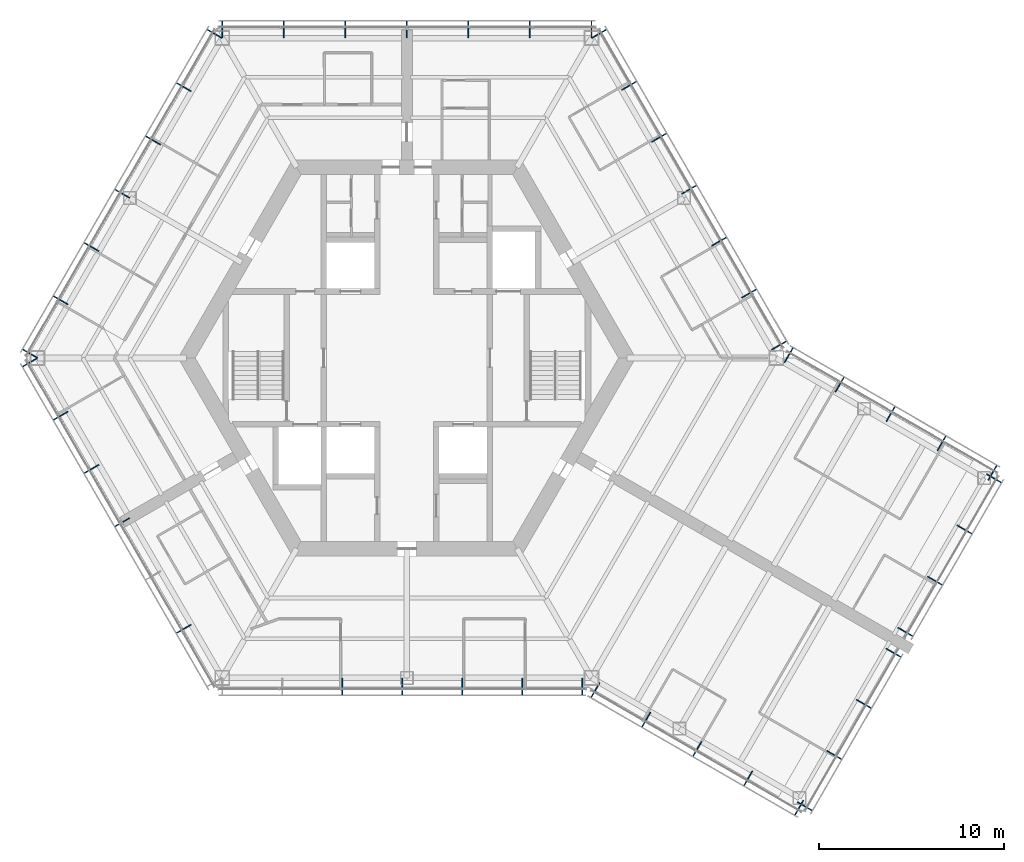
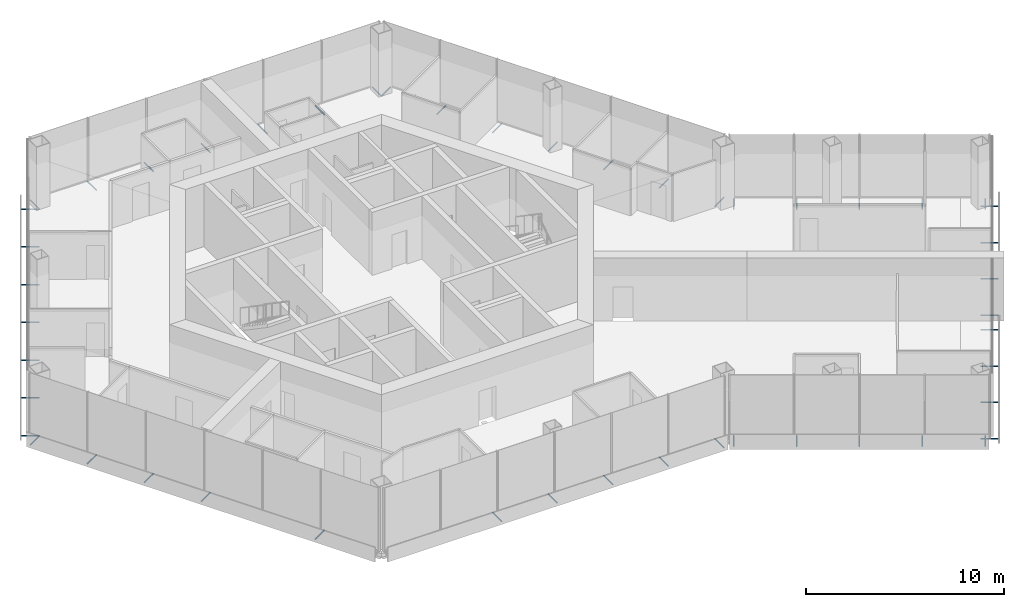
# One storey, part 14 of 16: 49 discrete accessories.
"""IFC4 building model written with IfcOpenShell, lengths in metres."""

from ifc_helpers import new_model, si_unit, direction, frame, origin, origin_2d, place, context, subcontext, project, spatial, hollow_circle, extrude, material, material_profile, profile_set, type_object, element, save


model = new_model("IFC4")

# Units and contexts
model_context = context("Model", 3, precision=1e-05, world=origin(), true_north=direction((0.0, 1.0)))
body_context = subcontext(model_context, "Body", "Model", "MODEL_VIEW")
ifc_project = project(units=[si_unit("LENGTHUNIT", "METRE"), si_unit("AREAUNIT", "SQUARE_METRE"), si_unit("VOLUMEUNIT", "CUBIC_METRE"), si_unit("PLANEANGLEUNIT", "RADIAN"), si_unit("MASSUNIT", "GRAM", prefix="KILO")], contexts=[model_context])

# Site, building, storey
site_placement = place(None, origin())
site = spatial("IfcSite", under=ifc_project, at=site_placement, CompositionType="ELEMENT")
building_placement = place(site_placement, origin())
building = spatial("IfcBuilding", under=site, at=building_placement, Name="Kasaneha Research Tower", CompositionType="ELEMENT")
storey_placement = place(building_placement, frame((0.0, 0.0, 255.699951171875)))
storey = spatial("IfcBuildingStorey", under=building, at=storey_placement, Name="L64", CompositionType="ELEMENT", Elevation=255.699951171875)

# Discrete accessories
ifc_material = material(Name="Steel STK400", Category="steel")
ifc_material_profile = material_profile(ifc_material, hollow_circle(Radius=0.0380859375, WallThickness=0.00390625, at=origin_2d()), Name="CHS-76.3x4.0")
ifc_profile_set = profile_set([ifc_material_profile], Name="Steel STK400")
discrete_accessory_type = type_object("IfcDiscreteAccessoryType", Name="Screen bracket CHS-76.3x4.0", PredefinedType="BRACKET", material=ifc_profile_set)
for number, where, z_axis, x_axis, name in (
    (1, (19.74462890625, 0.4423828125, -0.300048828125), (0.866013213425, 0.500021113727, 0.0), (-0.500021113727, 0.866013213425, 0.0), "Screen bracket 1"),
    (2, (18.120849609375, 3.2548828125, -0.300048828125), (0.866013213425, 0.500021113727, 0.0), (-0.500021113727, 0.866013213425, 0.0), "Screen bracket 2"),
    (3, (16.4970703125, 6.0673828125, -0.300048828125), (0.866013213425, 0.500021113727, 0.0), (-0.500021113727, 0.866013213425, 0.0), "Screen bracket 3"),
    (4, (14.873291015625, 8.8798828125, -0.300048828125), (0.866013213425, 0.500021113727, 0.0), (-0.500021113727, 0.866013213425, 0.0), "Screen bracket 4"),
    (5, (13.24951171875, 11.6923828125, -0.300048828125), (0.866013213425, 0.500021113727, 0.0), (-0.500021113727, 0.866013213425, 0.0), "Screen bracket 5"),
):
    element("IfcDiscreteAccessory", number, at=place(storey_placement, frame(where, z_axis=z_axis, x_axis=x_axis)), inside=storey, type_object=discrete_accessory_type, Name=name, PredefinedType="BRACKET", context=body_context, shape_type="SweptSolid", body=[
        extrude(hollow_circle(Radius=0.0380859375, WallThickness=0.00390625, at=origin_2d()), origin(), (0.0, 0.0, 1.0), 0.919921875),
    ])
for number, where, z_axis, x_axis, name in (
    (6, (11.62548828125, 14.5048828125, -0.300048828125), (0.866079547155, 0.499906209203, 0.0), (-0.499906209203, 0.866079547155, 0.0), "Screen bracket 6"),
    (7, (10.001708984375, 17.3173828125, -0.300048828125), (0.866079547155, 0.499906209203, 0.0), (-0.499906209203, 0.866079547155, 0.0), "Screen bracket 7"),
):
    element("IfcDiscreteAccessory", number, at=place(storey_placement, frame(where, z_axis=z_axis, x_axis=x_axis)), inside=storey, type_object=discrete_accessory_type, Name=name, PredefinedType="BRACKET", context=body_context, shape_type="SweptSolid", body=[
        extrude(hollow_circle(Radius=0.0380859375, WallThickness=0.00390625, at=origin_2d()), origin(), (0.0, 0.0, 1.0), 0.920166015625),
    ])
for number, where, z_axis, x_axis, name in (
    (8, (9.996337890625, 17.320556640625, -0.300048828125), (0.0, 1.0, 0.0), (-1.0, 0.0, 0.0), "Screen bracket 1"),
    (9, (6.664306640625, 17.320556640625, -0.300048828125), (0.0, 1.0, 0.0), (-1.0, 0.0, 0.0), "Screen bracket 2"),
    (10, (3.33203125, 17.320556640625, -0.300048828125), (0.0, 1.0, 0.0), (-1.0, 0.0, 0.0), "Screen bracket 3"),
    (11, (0.0, 17.320556640625, -0.300048828125), (0.0, 1.0, 0.0), (-1.0, 0.0, 0.0), "Screen bracket 4"),
    (12, (-3.33203125, 17.320556640625, -0.300048828125), (0.0, 1.0, 0.0), (-1.0, 0.0, 0.0), "Screen bracket 5"),
    (13, (-6.664306640625, 17.320556640625, -0.300048828125), (0.0, 1.0, 0.0), (-1.0, 0.0, 0.0), "Screen bracket 6"),
    (14, (-9.996337890625, 17.320556640625, -0.300048828125), (0.0, 1.0, 0.0), (-1.0, 0.0, 0.0), "Screen bracket 7"),
):
    element("IfcDiscreteAccessory", number, at=place(storey_placement, frame(where, z_axis=z_axis, x_axis=x_axis)), inside=storey, type_object=discrete_accessory_type, Name=name, PredefinedType="BRACKET", context=body_context, shape_type="SweptSolid", body=[
        extrude(hollow_circle(Radius=0.0380859375, WallThickness=0.00390625, at=origin_2d()), origin(), (0.0, 0.0, 1.0), 0.919921875),
    ])
discrete_accessory_1_placement = place(storey_placement, frame((-10.001708984375, 17.3173828125, -0.300048828125), z_axis=(-0.866079547155, 0.499906209203, 0.0), x_axis=(-0.499906209203, -0.866079547155, 0.0)))
element("IfcDiscreteAccessory", 15, at=discrete_accessory_1_placement, inside=storey, type_object=discrete_accessory_type, Name="Screen bracket 1", PredefinedType="BRACKET", context=body_context, shape_type="SweptSolid", body=[
    extrude(hollow_circle(Radius=0.0380859375, WallThickness=0.00390625, at=origin_2d()), origin(), (0.0, 0.0, 1.0), 0.920166015625),
])
for number, where, z_axis, x_axis, name in (
    (16, (-11.66796875, 14.431640625, -0.300048828125), (-0.866013213425, 0.500021113727, 0.0), (-0.500021113727, -0.866013213425, 0.0), "Screen bracket 2"),
    (17, (-13.333984375, 11.5458984375, -0.300048828125), (-0.866013213425, 0.500021113727, 0.0), (-0.500021113727, -0.866013213425, 0.0), "Screen bracket 3"),
    (18, (-15.0, 8.66015625, -0.300048828125), (-0.865898279276, 0.500220121494, 0.0), (-0.500220121494, -0.865898279276, 0.0), "Screen bracket 4"),
):
    element("IfcDiscreteAccessory", number, at=place(storey_placement, frame(where, z_axis=z_axis, x_axis=x_axis)), inside=storey, type_object=discrete_accessory_type, Name=name, PredefinedType="BRACKET", context=body_context, shape_type="SweptSolid", body=[
        extrude(hollow_circle(Radius=0.0380859375, WallThickness=0.00390625, at=origin_2d()), origin(), (0.0, 0.0, 1.0), 0.919921875),
    ])
for number, where, z_axis, x_axis, name in (
    (19, (-16.666015625, 5.774658203125, -0.300048828125), (-0.866079547155, 0.499906209203, 0.0), (-0.499906209203, -0.866079547155, 0.0), "Screen bracket 5"),
    (20, (-18.33203125, 2.888916015625, -0.300048828125), (-0.866079547155, 0.499906209203, 0.0), (-0.499906209203, -0.866079547155, 0.0), "Screen bracket 6"),
):
    element("IfcDiscreteAccessory", number, at=place(storey_placement, frame(where, z_axis=z_axis, x_axis=x_axis)), inside=storey, type_object=discrete_accessory_type, Name=name, PredefinedType="BRACKET", context=body_context, shape_type="SweptSolid", body=[
        extrude(hollow_circle(Radius=0.0380859375, WallThickness=0.00390625, at=origin_2d()), origin(), (0.0, 0.0, 1.0), 0.920166015625),
    ])
for number, where, z_axis, x_axis, name in (
    (21, (-19.998291015625, 0.003173828125, -0.300048828125), (-0.866013213425, 0.500021113727, 0.0), (-0.500021113727, -0.866013213425, 0.0), "Screen bracket 7"),
    (22, (-19.998291015625, -0.003173828125, -0.300048828125), (-0.866013213425, -0.500021113727, 0.0), (0.500021113727, -0.866013213425, 0.0), "Screen bracket 1"),
):
    element("IfcDiscreteAccessory", number, at=place(storey_placement, frame(where, z_axis=z_axis, x_axis=x_axis)), inside=storey, type_object=discrete_accessory_type, Name=name, PredefinedType="BRACKET", context=body_context, shape_type="SweptSolid", body=[
        extrude(hollow_circle(Radius=0.0380859375, WallThickness=0.00390625, at=origin_2d()), origin(), (0.0, 0.0, 1.0), 0.919921875),
    ])
for number, where, z_axis, x_axis, name in (
    (23, (-18.33203125, -2.888916015625, -0.300048828125), (-0.866079547155, -0.499906209203, 0.0), (0.499906209203, -0.866079547155, 0.0), "Screen bracket 2"),
    (24, (-16.666015625, -5.774658203125, -0.300048828125), (-0.866079547155, -0.499906209203, 0.0), (0.499906209203, -0.866079547155, 0.0), "Screen bracket 3"),
):
    element("IfcDiscreteAccessory", number, at=place(storey_placement, frame(where, z_axis=z_axis, x_axis=x_axis)), inside=storey, type_object=discrete_accessory_type, Name=name, PredefinedType="BRACKET", context=body_context, shape_type="SweptSolid", body=[
        extrude(hollow_circle(Radius=0.0380859375, WallThickness=0.00390625, at=origin_2d()), origin(), (0.0, 0.0, 1.0), 0.920166015625),
    ])
for number, where, z_axis, x_axis, name in (
    (25, (-15.0, -8.66015625, -0.300048828125), (-0.865898279276, -0.500220121494, 0.0), (0.500220121494, -0.865898279276, 0.0), "Screen bracket 4"),
    (26, (-11.66796875, -14.431640625, -0.300048828125), (-0.866013213425, -0.500021113727, 0.0), (0.500021113727, -0.866013213425, 0.0), "Screen bracket 6"),
    (27, (-3.501220703125, -17.320556640625, -0.300048828125), (0.0, -1.0, 0.0), (1.0, 0.0, 0.0), "Screen bracket 3"),
    (28, (-0.253662109375, -17.320556640625, -0.300048828125), (0.0, -1.0, 0.0), (1.0, 0.0, 0.0), "Screen bracket 4"),
    (29, (2.993896484375, -17.320556640625, -0.300048828125), (0.0, -1.0, 0.0), (1.0, 0.0, 0.0), "Screen bracket 5"),
    (30, (6.24169921875, -17.320556640625, -0.300048828125), (0.0, -1.0, 0.0), (1.0, 0.0, 0.0), "Screen bracket 6"),
    (31, (9.4892578125, -17.320556640625, -0.300048828125), (0.0, -1.0, 0.0), (1.0, 0.0, 0.0), "Screen bracket 7"),
    (32, (10.4423828125, -17.575927734375, -0.300048828125), (-0.500021113727, -0.866013213425, 0.0), (0.866013213425, -0.500021113727, 0.0), "Screen bracket 1"),
):
    element("IfcDiscreteAccessory", number, at=place(storey_placement, frame(where, z_axis=z_axis, x_axis=x_axis)), inside=storey, type_object=discrete_accessory_type, Name=name, PredefinedType="BRACKET", context=body_context, shape_type="SweptSolid", body=[
        extrude(hollow_circle(Radius=0.0380859375, WallThickness=0.00390625, at=origin_2d()), origin(), (0.0, 0.0, 1.0), 0.919921875),
    ])
discrete_accessory_2_placement = place(storey_placement, frame((13.200439453125, -19.168212890625, -0.300048828125), z_axis=(-0.499906209203, -0.866079547155, 0.0), x_axis=(0.866079547155, -0.499906209203, 0.0)))
element("IfcDiscreteAccessory", 33, at=discrete_accessory_2_placement, inside=storey, type_object=discrete_accessory_type, Name="Screen bracket 2", PredefinedType="BRACKET", context=body_context, shape_type="SweptSolid", body=[
    extrude(hollow_circle(Radius=0.0380859375, WallThickness=0.00390625, at=origin_2d()), origin(), (0.0, 0.0, 1.0), 0.920166015625),
])
discrete_accessory_3_placement = place(storey_placement, frame((15.95849609375, -20.7607421875, -0.300048828125), z_axis=(-0.500021113727, -0.866013213425, 0.0), x_axis=(0.866013213425, -0.500021113727, 0.0)))
element("IfcDiscreteAccessory", 34, at=discrete_accessory_3_placement, inside=storey, type_object=discrete_accessory_type, Name="Screen bracket 3", PredefinedType="BRACKET", context=body_context, shape_type="SweptSolid", body=[
    extrude(hollow_circle(Radius=0.0380859375, WallThickness=0.00390625, at=origin_2d()), origin(), (0.0, 0.0, 1.0), 0.919921875),
])
discrete_accessory_4_placement = place(storey_placement, frame((18.716796875, -22.35302734375, -0.300048828125), z_axis=(-0.500105201737, -0.865964657013, 0.0), x_axis=(0.865964657013, -0.500105201737, 0.0)))
element("IfcDiscreteAccessory", 35, at=discrete_accessory_4_placement, inside=storey, type_object=discrete_accessory_type, Name="Screen bracket 4", PredefinedType="BRACKET", context=body_context, shape_type="SweptSolid", body=[
    extrude(hollow_circle(Radius=0.0380859375, WallThickness=0.00390625, at=origin_2d()), origin(), (0.0, 0.0, 1.0), 0.920166015625),
])
discrete_accessory_5_placement = place(storey_placement, frame((21.474853515625, -23.945556640625, -0.300048828125), z_axis=(-0.500021113727, -0.866013213425, 0.0), x_axis=(0.866013213425, -0.500021113727, 0.0)))
element("IfcDiscreteAccessory", 36, at=discrete_accessory_5_placement, inside=storey, type_object=discrete_accessory_type, Name="Screen bracket 5", PredefinedType="BRACKET", context=body_context, shape_type="SweptSolid", body=[
    extrude(hollow_circle(Radius=0.0380859375, WallThickness=0.00390625, at=origin_2d()), origin(), (0.0, 0.0, 1.0), 0.919921875),
])
discrete_accessory_6_placement = place(storey_placement, frame((21.13330078125, -24.037109375, -0.300048828125), z_axis=(0.866079547155, -0.499906209203, 0.0), x_axis=(0.499906209203, 0.866079547155, 0.0)))
element("IfcDiscreteAccessory", 37, at=discrete_accessory_6_placement, inside=storey, type_object=discrete_accessory_type, Name="Screen bracket 1", PredefinedType="BRACKET", context=body_context, shape_type="SweptSolid", body=[
    extrude(hollow_circle(Radius=0.0380859375, WallThickness=0.00390625, at=origin_2d()), origin(), (0.0, 0.0, 1.0), 0.920166015625),
])
discrete_accessory_7_placement = place(storey_placement, frame((22.7333984375, -21.265625, -0.300048828125), z_axis=(0.865898279276, -0.500220121494, 0.0), x_axis=(0.500220121494, 0.865898279276, 0.0)))
element("IfcDiscreteAccessory", 38, at=discrete_accessory_7_placement, inside=storey, type_object=discrete_accessory_type, Name="Screen bracket 2", PredefinedType="BRACKET", context=body_context, shape_type="SweptSolid", body=[
    extrude(hollow_circle(Radius=0.0380859375, WallThickness=0.00390625, at=origin_2d()), origin(), (0.0, 0.0, 1.0), 0.919921875),
])
discrete_accessory_8_placement = place(storey_placement, frame((24.333251953125, -18.494384765625, -0.300048828125), z_axis=(0.866079547155, -0.499906209203, 0.0), x_axis=(0.499906209203, 0.866079547155, 0.0)))
element("IfcDiscreteAccessory", 39, at=discrete_accessory_8_placement, inside=storey, type_object=discrete_accessory_type, Name="Screen bracket 3", PredefinedType="BRACKET", context=body_context, shape_type="SweptSolid", body=[
    extrude(hollow_circle(Radius=0.0380859375, WallThickness=0.00390625, at=origin_2d()), origin(), (0.0, 0.0, 1.0), 0.920166015625),
])
discrete_accessory_9_placement = place(storey_placement, frame((25.933349609375, -15.72314453125, -0.300048828125), z_axis=(0.866013213425, -0.500021113727, 0.0), x_axis=(0.500021113727, 0.866013213425, 0.0)))
element("IfcDiscreteAccessory", 40, at=discrete_accessory_9_placement, inside=storey, type_object=discrete_accessory_type, Name="Screen bracket 4", PredefinedType="BRACKET", context=body_context, shape_type="SweptSolid", body=[
    extrude(hollow_circle(Radius=0.0380859375, WallThickness=0.00390625, at=origin_2d()), origin(), (0.0, 0.0, 1.0), 0.919921875),
])
discrete_accessory_10_placement = place(storey_placement, frame((26.583251953125, -14.597412109375, -0.300048828125), z_axis=(0.866079547155, -0.499906209203, 0.0), x_axis=(0.499906209203, 0.866079547155, 0.0)))
element("IfcDiscreteAccessory", 41, at=discrete_accessory_10_placement, inside=storey, type_object=discrete_accessory_type, Name="Screen bracket 1", PredefinedType="BRACKET", context=body_context, shape_type="SweptSolid", body=[
    extrude(hollow_circle(Radius=0.0380859375, WallThickness=0.00390625, at=origin_2d()), origin(), (0.0, 0.0, 1.0), 0.920166015625),
])
for number, where, z_axis, x_axis, name in (
    (42, (28.183349609375, -11.826171875, -0.300048828125), (0.866013213425, -0.500021113727, 0.0), (0.500021113727, 0.866013213425, 0.0), "Screen bracket 2"),
    (43, (29.783447265625, -9.0546875, -0.300048828125), (0.865898279276, -0.500220121494, 0.0), (0.500220121494, 0.865898279276, 0.0), "Screen bracket 3"),
):
    element("IfcDiscreteAccessory", number, at=place(storey_placement, frame(where, z_axis=z_axis, x_axis=x_axis)), inside=storey, type_object=discrete_accessory_type, Name=name, PredefinedType="BRACKET", context=body_context, shape_type="SweptSolid", body=[
        extrude(hollow_circle(Radius=0.0380859375, WallThickness=0.00390625, at=origin_2d()), origin(), (0.0, 0.0, 1.0), 0.919921875),
    ])
discrete_accessory_11_placement = place(storey_placement, frame((31.38330078125, -6.283447265625, -0.300048828125), z_axis=(0.866079547155, -0.499906209203, 0.0), x_axis=(0.499906209203, 0.866079547155, 0.0)))
element("IfcDiscreteAccessory", 44, at=discrete_accessory_11_placement, inside=storey, type_object=discrete_accessory_type, Name="Screen bracket 4", PredefinedType="BRACKET", context=body_context, shape_type="SweptSolid", body=[
    extrude(hollow_circle(Radius=0.0380859375, WallThickness=0.00390625, at=origin_2d()), origin(), (0.0, 0.0, 1.0), 0.920166015625),
])
discrete_accessory_12_placement = place(storey_placement, frame((31.474853515625, -6.625, -0.300048828125), z_axis=(0.500021113727, 0.866013213425, 0.0), x_axis=(-0.866013213425, 0.500021113727, 0.0)))
element("IfcDiscreteAccessory", 45, at=discrete_accessory_12_placement, inside=storey, type_object=discrete_accessory_type, Name="Screen bracket 1", PredefinedType="BRACKET", context=body_context, shape_type="SweptSolid", body=[
    extrude(hollow_circle(Radius=0.0380859375, WallThickness=0.00390625, at=origin_2d()), origin(), (0.0, 0.0, 1.0), 0.919921875),
])
discrete_accessory_13_placement = place(storey_placement, frame((28.716796875, -5.03271484375, -0.300048828125), z_axis=(0.499906209203, 0.866079547155, 0.0), x_axis=(-0.866079547155, 0.499906209203, 0.0)))
element("IfcDiscreteAccessory", 46, at=discrete_accessory_13_placement, inside=storey, type_object=discrete_accessory_type, Name="Screen bracket 2", PredefinedType="BRACKET", context=body_context, shape_type="SweptSolid", body=[
    extrude(hollow_circle(Radius=0.0380859375, WallThickness=0.00390625, at=origin_2d()), origin(), (0.0, 0.0, 1.0), 0.920166015625),
])
discrete_accessory_14_placement = place(storey_placement, frame((25.95849609375, -3.440185546875, -0.300048828125), z_axis=(0.500220121494, 0.865898279276, 0.0), x_axis=(-0.865898279276, 0.500220121494, 0.0)))
element("IfcDiscreteAccessory", 47, at=discrete_accessory_14_placement, inside=storey, type_object=discrete_accessory_type, Name="Screen bracket 3", PredefinedType="BRACKET", context=body_context, shape_type="SweptSolid", body=[
    extrude(hollow_circle(Radius=0.0380859375, WallThickness=0.00390625, at=origin_2d()), origin(), (0.0, 0.0, 1.0), 0.919921875),
])
discrete_accessory_15_placement = place(storey_placement, frame((23.200439453125, -1.847900390625, -0.300048828125), z_axis=(0.499906209203, 0.866079547155, 0.0), x_axis=(-0.866079547155, 0.499906209203, 0.0)))
element("IfcDiscreteAccessory", 48, at=discrete_accessory_15_placement, inside=storey, type_object=discrete_accessory_type, Name="Screen bracket 4", PredefinedType="BRACKET", context=body_context, shape_type="SweptSolid", body=[
    extrude(hollow_circle(Radius=0.0380859375, WallThickness=0.00390625, at=origin_2d()), origin(), (0.0, 0.0, 1.0), 0.920166015625),
])
discrete_accessory_16_placement = place(storey_placement, frame((20.4423828125, -0.25537109375, -0.300048828125), z_axis=(0.500021113727, 0.866013213425, 0.0), x_axis=(-0.866013213425, 0.500021113727, 0.0)))
element("IfcDiscreteAccessory", 49, at=discrete_accessory_16_placement, inside=storey, type_object=discrete_accessory_type, Name="Screen bracket 5", PredefinedType="BRACKET", context=body_context, shape_type="SweptSolid", body=[
    extrude(hollow_circle(Radius=0.0380859375, WallThickness=0.00390625, at=origin_2d()), origin(), (0.0, 0.0, 1.0), 0.919921875),
])

save(model, "model.ifc")
